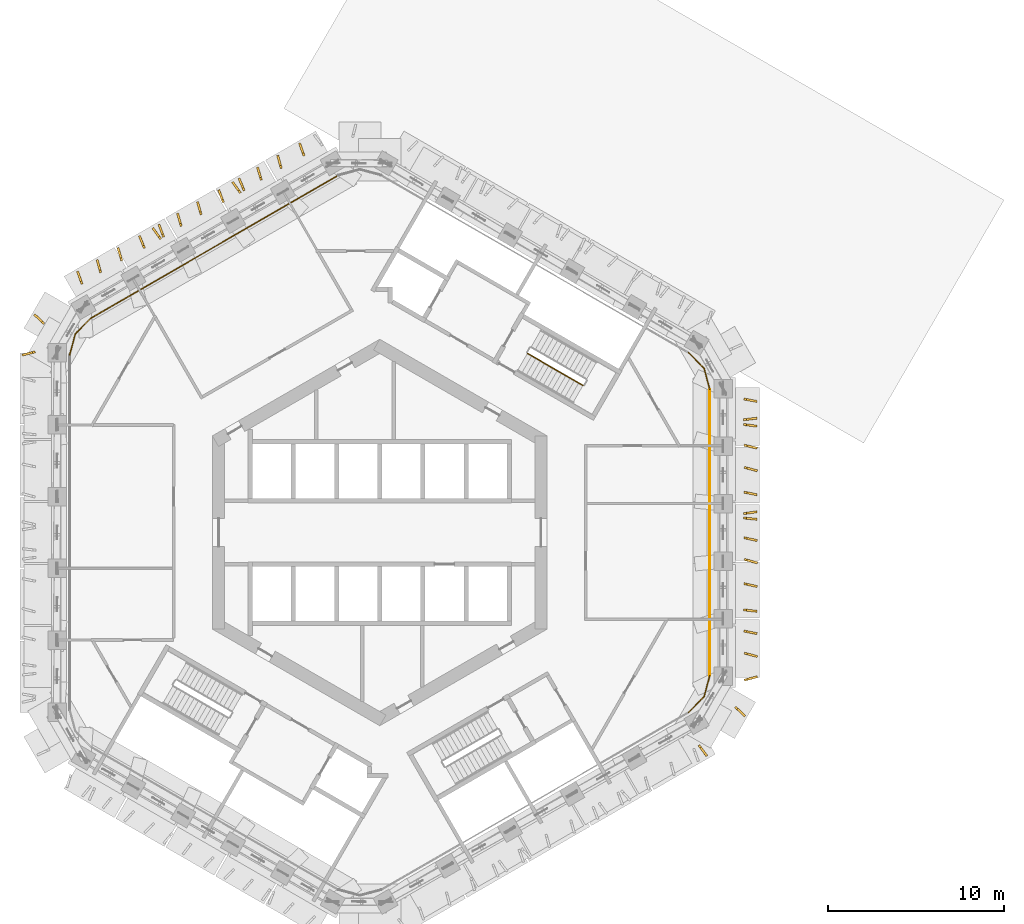
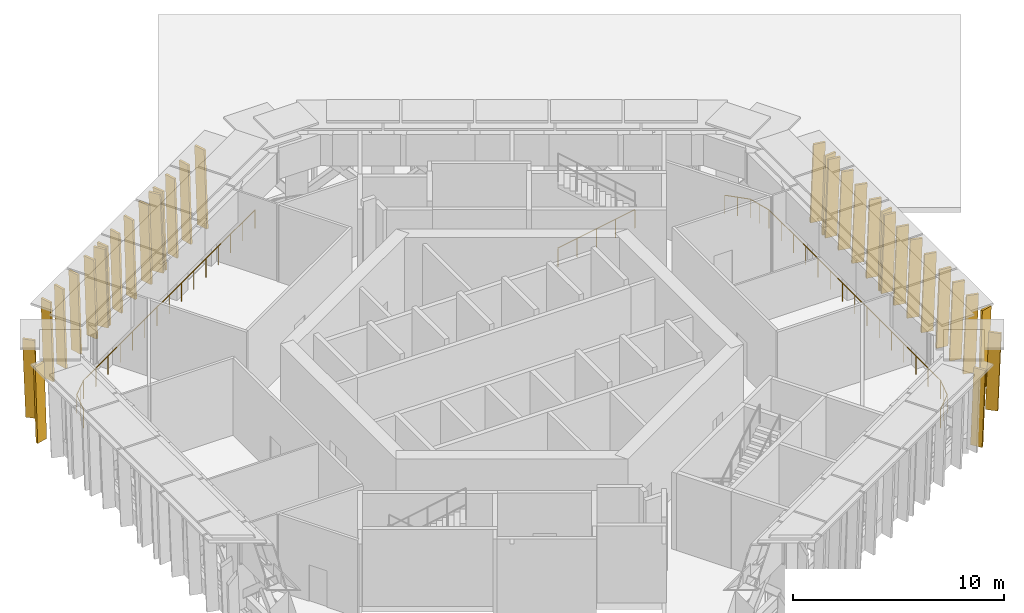
# One storey, part 17 of 18: 33 shading devices, 6 railings.
"""IFC4 building model written with IfcOpenShell, lengths in metres."""

from ifc_helpers import new_model, si_unit, direction, frame, origin, origin_2d, place, context, subcontext, project, spatial, polyline, circle, outline, extrude, material, layer, layer_set, type_object, element, save


model = new_model("IFC4")

# Units and contexts
model_context = context("Model", 3, precision=1e-05, world=origin(), true_north=direction((0.0, 1.0)))
body_context = subcontext(model_context, "Body", "Model", "MODEL_VIEW")
ifc_project = project(units=[si_unit("LENGTHUNIT", "METRE"), si_unit("AREAUNIT", "SQUARE_METRE"), si_unit("VOLUMEUNIT", "CUBIC_METRE"), si_unit("PLANEANGLEUNIT", "RADIAN"), si_unit("MASSUNIT", "GRAM", prefix="KILO")], contexts=[model_context])

# Site, building, storey
site_placement = place(None, origin())
site = spatial("IfcSite", under=ifc_project, at=site_placement, CompositionType="ELEMENT")
building_placement = place(site_placement, origin())
building = spatial("IfcBuilding", under=site, at=building_placement, Name="Ayvan Gate Tower", CompositionType="ELEMENT")
storey_placement = place(building_placement, frame((0.0, 0.0, 147.89990234375)))
storey = spatial("IfcBuildingStorey", under=building, at=storey_placement, Name="L39", CompositionType="ELEMENT", Elevation=147.89990234375)

# Shading devices
ifc_material_1 = material(Name="Bronze anodised aluminium", Category="aluminium")
ifc_layer = layer(ifc_material_1, 0.1201171875)
ifc_layer_set = layer_set([ifc_layer], Name="Bronze anodised aluminium")
shading_device_type = type_object("IfcShadingDeviceType", Name="Bronze fin 600 x 120", PredefinedType="USERDEFINED", material=ifc_layer_set)
shading_device_1_placement = place(storey_placement, frame((-4.2412109375, 21.401611328125, 0.0), z_axis=(0.943110425373, 0.332479489765, 0.000338287382), x_axis=(-0.332479508782, 0.94311047934, -2.2881e-08)))
element("IfcShadingDevice", 1, at=shading_device_1_placement, inside=storey, type_object=shading_device_type, Name="Bronze fin FG14.1.2", ObjectType="FIN", PredefinedType="USERDEFINED", context=body_context, shape_type="SweptSolid", body=[
    extrude(outline(polyline([(0.0, 0.0), (0.6000404906699159, 1.3552527156068805e-20), (0.7652310691955496, 4.500000274995778), (0.16542083010750372, 4.500000247541666), (0.0, 0.0)])), origin(), (0.0, 0.0, -1.0), 0.1201171875),
])
shading_device_2_placement = place(storey_placement, frame((-5.5322265625, 20.682373046875, 0.0), z_axis=(0.96484352558, 0.262824759656, 0.000341844498), x_axis=(-0.262824775019, 0.964843581953, 1.828e-08)))
element("IfcShadingDevice", 2, at=shading_device_2_placement, inside=storey, type_object=shading_device_type, Name="Bronze fin FG14.1.4", ObjectType="FIN", PredefinedType="USERDEFINED", context=body_context, shape_type="SweptSolid", body=[
    extrude(outline(polyline([(0.0, 0.0), (0.5999582366877992, 0.0), (0.7653484005012523, 4.500000248938944), (0.16515460629832773, 4.500000270878114), (0.0, 0.0)])), origin(), (0.0, 0.0, -1.0), 0.1201171875),
])
shading_device_3_placement = place(storey_placement, frame((-6.66455078125, 20.020263671875, 0.0), z_axis=(0.959313608169, 0.282342512328, 0.000326976607), x_axis=(-0.282342527421, 0.959313659451, 0.0)))
element("IfcShadingDevice", 3, at=shading_device_3_placement, inside=storey, type_object=shading_device_type, Name="Bronze fin FG14.1.6", ObjectType="FIN", PredefinedType="USERDEFINED", context=body_context, shape_type="SweptSolid", body=[
    extrude(outline(polyline([(0.0, 0.0), (0.6000994440956892, 6.776263578034403e-21), (0.7654453252544468, 4.500000240555849), (0.16534588115875765, 4.500000240555849), (0.0, 0.0)])), origin(), (0.0, 0.0, -1.0), 0.1201171875),
])
shading_device_4_placement = place(storey_placement, frame((-7.643798828125, 19.42626953125, 0.0), z_axis=(0.927123557503, 0.374755671038, 0.000310076452), x_axis=(-0.374755689061, 0.927123602071, 2.3646e-08)))
element("IfcShadingDevice", 4, at=shading_device_4_placement, inside=storey, type_object=shading_device_type, Name="Bronze fin FG14.1.8", ObjectType="FIN", PredefinedType="USERDEFINED", context=body_context, shape_type="SweptSolid", body=[
    extrude(outline(polyline([(0.0, 0.0), (0.5998870984233567, -1.3552527156068805e-20), (0.7652780979853516, 4.50000019823592), (0.16516465102633301, 4.5000002266111245), (0.0, 0.0)])), origin(), (0.0, 0.0, -1.0), 0.1201171875),
])
shading_device_5_placement = place(storey_placement, frame((-7.858154296875, 19.3115234375, 0.0), z_axis=(0.808031698616, 0.589138922253, 0.000322983536), x_axis=(-0.589138952982, 0.808031740762, 0.0)))
element("IfcShadingDevice", 5, at=shading_device_5_placement, inside=storey, type_object=shading_device_type, Name="Bronze fin FG14.1.9", ObjectType="FIN", PredefinedType="USERDEFINED", context=body_context, shape_type="SweptSolid", body=[
    extrude(outline(polyline([(0.0, 0.0), (0.6000547463554116, 0.0), (0.7654798938113188, 4.50000023471634), (0.16542514745590722, 4.50000023471634), (0.0, 0.0)])), origin(), (0.0, 0.0, -1.0), 0.1201171875),
])
shading_device_6_placement = place(storey_placement, frame((-8.8173828125, 18.7548828125, 0.0), z_axis=(0.936988053522, 0.349361235157, 0.000339009426), x_axis=(-0.349361255219, 0.936988107369, -4.0544e-08)))
element("IfcShadingDevice", 6, at=shading_device_6_placement, inside=storey, type_object=shading_device_type, Name="Bronze fin FG14.1.10", ObjectType="FIN", PredefinedType="USERDEFINED", context=body_context, shape_type="SweptSolid", body=[
    extrude(outline(polyline([(0.0, 0.0), (0.599779926792578, 0.0), (0.7653091039575236, 4.500000289615701), (0.16521512702759486, 4.50000024096746), (0.0, 0.0)])), origin(), (0.0, 0.0, -1.0), 0.1201171875),
])
shading_device_7_placement = place(storey_placement, frame((-10.080322265625, 18.053466796875, 0.0), z_axis=(0.962856115232, 0.270014806617, 0.000324910667), x_axis=(-0.27001482085, 0.962856166061, -6.366e-08)))
element("IfcShadingDevice", 7, at=shading_device_7_placement, inside=storey, type_object=shading_device_type, Name="Bronze fin FG14.1.12", ObjectType="FIN", PredefinedType="USERDEFINED", context=body_context, shape_type="SweptSolid", body=[
    extrude(outline(polyline([(0.0, 0.0), (0.5998870886531852, 0.0), (0.7651429811583198, 4.50000028623457), (0.1651899709180131, 4.500000209852874), (0.0, 0.0)])), origin(), (0.0, 0.0, -1.0), 0.1201171875),
])
shading_device_8_placement = place(storey_placement, frame((-11.2119140625, 17.39990234375, 0.0), z_axis=(0.962870947668, 0.269961915816, 0.000319604351), x_axis=(-0.269961929617, 0.962870996841, 4.5041e-08)))
element("IfcShadingDevice", 8, at=shading_device_8_placement, inside=storey, type_object=shading_device_type, Name="Bronze fin FG14.1.14", ObjectType="FIN", PredefinedType="USERDEFINED", context=body_context, shape_type="SweptSolid", body=[
    extrude(outline(polyline([(0.0, 0.0), (0.6001880788057107, 1.3552527156068805e-20), (0.7653784647718116, 4.500000195356943), (0.16549137056728697, 4.500000249409976), (0.0, 0.0)])), origin(), (0.0, 0.0, -1.0), 0.1201171875),
])
shading_device_9_placement = place(storey_placement, frame((-12.21240234375, 16.794677734375, 0.0), z_axis=(0.937012876926, 0.349294639532, 0.000351096488), x_axis=(-0.349294661038, 0.937012934687, -6.6931e-08)))
element("IfcShadingDevice", 9, at=shading_device_9_placement, inside=storey, type_object=shading_device_type, Name="Bronze fin FG14.1.16", ObjectType="FIN", PredefinedType="USERDEFINED", context=body_context, shape_type="SweptSolid", body=[
    extrude(outline(polyline([(0.0, 0.0), (0.6000086932993831, 0.0), (0.7653088748643048, 4.500000328577276), (0.16521490454806664, 4.500000248253709), (0.0, 0.0)])), origin(), (0.0, 0.0, -1.0), 0.1201171875),
])
shading_device_10_placement = place(storey_placement, frame((-12.384765625, 16.697998046875, 0.0), z_axis=(0.808031698616, 0.589138922253, 0.000322983536), x_axis=(-0.589138952982, 0.808031740762, 0.0)))
element("IfcShadingDevice", 10, at=shading_device_10_placement, inside=storey, type_object=shading_device_type, Name="Bronze fin FG14.1.17", ObjectType="FIN", PredefinedType="USERDEFINED", context=body_context, shape_type="SweptSolid", body=[
    extrude(outline(polyline([(0.0, 0.0), (0.6000547463554116, 0.0), (0.7654798938113188, 4.50000023471634), (0.16542514745590722, 4.50000023471634), (0.0, 0.0)])), origin(), (0.0, 0.0, -1.0), 0.1201171875),
])
shading_device_11_placement = place(storey_placement, frame((-13.302001953125, 16.159423828125, 0.0), z_axis=(0.927123557503, 0.374755671038, 0.000310076452), x_axis=(-0.374755689047, 0.927123602076, -2.3637e-08)))
element("IfcShadingDevice", 11, at=shading_device_11_placement, inside=storey, type_object=shading_device_type, Name="Bronze fin FG14.1.18", ObjectType="FIN", PredefinedType="USERDEFINED", context=body_context, shape_type="SweptSolid", body=[
    extrude(outline(polyline([(0.0, 0.0), (0.6001134469590194, 0.0), (0.7652778852115396, 4.50000023442061), (0.1653907867881834, 4.500000206056108), (0.0, 0.0)])), origin(), (0.0, 0.0, -1.0), 0.1201171875),
])
shading_device_12_placement = place(storey_placement, frame((-14.585693359375, 15.447021484375, 0.0), z_axis=(0.9592811414, 0.282452741676, 0.000374798687), x_axis=(-0.282452761515, 0.959281208777, 0.0)))
element("IfcShadingDevice", 12, at=shading_device_12_placement, inside=storey, type_object=shading_device_type, Name="Bronze fin FG14.1.20", ObjectType="FIN", PredefinedType="USERDEFINED", context=body_context, shape_type="SweptSolid", body=[
    extrude(outline(polyline([(0.0, 0.0), (0.5998652406197904, -6.776263578034403e-21), (0.7652802479604714, 4.500000316066658), (0.16541500734068096, 4.500000316066658), (0.0, 0.0)])), origin(), (0.0, 0.0, -1.0), 0.1201171875),
])
shading_device_13_placement = place(storey_placement, frame((-15.782958984375, 14.76416015625, 0.0), z_axis=(0.964829467782, 0.26287635436, 0.000347011468), x_axis=(-0.262876370187, 0.964829525873, 0.0)))
element("IfcShadingDevice", 13, at=shading_device_13_placement, inside=storey, type_object=shading_device_type, Name="Bronze fin FG14.1.22", ObjectType="FIN", PredefinedType="USERDEFINED", context=body_context, shape_type="SweptSolid", body=[
    extrude(outline(polyline([(0.0, 0.0), (0.5999582375456302, -6.776263578034403e-21), (0.7651128453234786, 4.500000270938183), (0.16515460777784846, 4.500000270938183), (0.0, 0.0)])), origin(), (0.0, 0.0, -1.0), 0.1201171875),
])
shading_device_14_placement = place(storey_placement, frame((-16.843505859375, 14.125732421875, 0.0), z_axis=(0.943110425373, 0.332479489765, 0.000338287382), x_axis=(-0.332479508782, 0.94311047934, -2.2881e-08)))
element("IfcShadingDevice", 14, at=shading_device_14_placement, inside=storey, type_object=shading_device_type, Name="Bronze fin FG14.1.24", ObjectType="FIN", PredefinedType="USERDEFINED", context=body_context, shape_type="SweptSolid", body=[
    extrude(outline(polyline([(0.0, 0.0), (0.6000404906699159, 1.3552527156068805e-20), (0.7652310691955496, 4.500000274995778), (0.16542083010750372, 4.500000247541666), (0.0, 0.0)])), origin(), (0.0, 0.0, -1.0), 0.1201171875),
])
shading_device_15_placement = place(storey_placement, frame((-19.010986328125, 11.893798828125, 0.0), z_axis=(0.690020782124, 0.723789487853, 0.000312268527), x_axis=(-0.723789523142, 0.690020815766, 0.0)))
element("IfcShadingDevice", 15, at=shading_device_15_placement, inside=storey, type_object=shading_device_type, Name="Bronze fin FG14.2.26", ObjectType="FIN", PredefinedType="USERDEFINED", context=body_context, shape_type="SweptSolid", body=[
    extrude(outline(polyline([(0.0, 0.0), (0.6000724768574559, -1.3552527156068805e-20), (0.7653634099950619, 4.5000002194011905), (0.165290933137606, 4.5000002194011905), (0.0, 0.0)])), origin(), (0.0, 0.0, -1.0), 0.1201171875),
])
shading_device_16_placement = place(storey_placement, frame((-19.574951171875, 10.3173828125, 0.0), z_axis=(-0.25104686745, 0.967974874656, 0.000335228224), x_axis=(-0.967974929046, -0.251046881556, 0.0)))
element("IfcShadingDevice", 16, at=shading_device_16_placement, inside=storey, type_object=shading_device_type, Name="Bronze fin FG14.3.27", ObjectType="FIN", PredefinedType="USERDEFINED", context=body_context, shape_type="SweptSolid", body=[
    extrude(outline(polyline([(0.0, 0.0), (0.6000264360643915, 1.3552527156068805e-20), (0.7653681974779012, 4.5000002528504375), (0.16534176141350967, 4.5000002528504375), (0.0, 0.0)])), origin(), (0.0, 0.0, -1.0), 0.1201171875),
])
shading_device_17_placement = place(storey_placement, frame((18.06787109375, -12.11279296875, 0.0), z_axis=(-0.803985802269, -0.594648405878, 0.00032114946), x_axis=(0.594648436557, -0.803985843719, 5.2521e-08)))
element("IfcShadingDevice", 17, at=shading_device_17_placement, inside=storey, type_object=shading_device_type, Name="Bronze fin FG14.7.103", ObjectType="FIN", PredefinedType="USERDEFINED", context=body_context, shape_type="SweptSolid", body=[
    extrude(outline(polyline([(0.0, 0.0), (0.600110361678414, 0.0), (0.7653884923427345, 4.500000191859107), (0.16542330850527687, 4.500000254888499), (0.0, 0.0)])), origin(), (0.0, 0.0, -1.0), 0.1201171875),
])
shading_device_18_placement = place(storey_placement, frame((20.1357421875, -9.94189453125, 0.0), z_axis=(-0.686049755687, -0.727554545177, 0.000341343196), x_axis=(0.727554587562, -0.686049795654, 0.0)))
element("IfcShadingDevice", 18, at=shading_device_18_placement, inside=storey, type_object=shading_device_type, Name="Bronze fin FG14.8.104", ObjectType="FIN", PredefinedType="USERDEFINED", context=body_context, shape_type="SweptSolid", body=[
    extrude(outline(polyline([(0.0, 0.0), (0.5999871967857003, 0.0), (0.7653137436654256, 4.500000262159173), (0.16532654687972514, 4.500000262159173), (0.0, 0.0)])), origin(), (0.0, 0.0, -1.0), 0.1201171875),
])
shading_device_19_placement = place(storey_placement, frame((20.70751953125, -8.4375, 0.0), z_axis=(0.253912389933, -0.967227164856, 0.000331365686), x_axis=(0.967227217958, 0.253912403873, 0.0)))
element("IfcShadingDevice", 19, at=shading_device_19_placement, inside=storey, type_object=shading_device_type, Name="Bronze fin FG14.9.105", ObjectType="FIN", PredefinedType="USERDEFINED", context=body_context, shape_type="SweptSolid", body=[
    extrude(outline(polyline([(0.0, 0.0), (0.5999854582772782, 1.3552527156068805e-20), (0.7654549427582718, 4.500000247057261), (0.16546948448099355, 4.500000247057261), (0.0, 0.0)])), origin(), (0.0, 0.0, -1.0), 0.1201171875),
])
shading_device_20_placement = place(storey_placement, frame((20.678466796875, -6.903564453125, 0.0), z_axis=(-0.257346073889, -0.966319249779, 0.000325207839), x_axis=(0.966319300884, -0.257346087477, 6.3934e-08)))
element("IfcShadingDevice", 20, at=shading_device_20_placement, inside=storey, type_object=shading_device_type, Name="Bronze fin FG14.9.106", ObjectType="FIN", PredefinedType="USERDEFINED", context=body_context, shape_type="SweptSolid", body=[
    extrude(outline(polyline([(0.0, 0.0), (0.600012467501012, -6.776263578034403e-21), (0.7653928699896678, 4.500000189025761), (0.1653175738540179, 4.500000265752096), (0.0, 0.0)])), origin(), (0.0, 0.0, -1.0), 0.1201171875),
])
shading_device_21_placement = place(storey_placement, frame((20.657958984375, -5.6513671875, 0.0), z_axis=(-0.194511627053, -0.980900161112, 0.000317603489), x_axis=(0.980900210584, -0.194511636867, -1.2572e-08)))
element("IfcShadingDevice", 21, at=shading_device_21_placement, inside=storey, type_object=shading_device_type, Name="Bronze fin FG14.9.108", ObjectType="FIN", PredefinedType="USERDEFINED", context=body_context, shape_type="SweptSolid", body=[
    extrude(outline(polyline([(0.0, 0.0), (0.5998403491038466, 6.776263578034403e-21), (0.765315880052697, 4.500000236583535), (0.1652360533583758, 4.500000221498108), (0.0, 0.0)])), origin(), (0.0, 0.0, -1.0), 0.1201171875),
])
shading_device_22_placement = place(storey_placement, frame((20.64111328125, -4.450927734375, 0.0), z_axis=(-0.108845955088, -0.99405857301, 0.000333896164), x_axis=(0.994058628424, -0.108845961133, 6.7529e-08)))
element("IfcShadingDevice", 22, at=shading_device_22_placement, inside=storey, type_object=shading_device_type, Name="Bronze fin FG14.9.110", ObjectType="FIN", PredefinedType="USERDEFINED", context=body_context, shape_type="SweptSolid", body=[
    extrude(outline(polyline([(0.0, 0.0), (0.599987085171718, -3.3881317890172014e-21), (0.7651248359004186, 4.500000199176726), (0.16511117700772093, 4.500000280211812), (0.0, 0.0)])), origin(), (0.0, 0.0, -1.0), 0.1201171875),
])
shading_device_23_placement = place(storey_placement, frame((20.66455078125, -2.961669921875, 0.0), z_axis=(-0.217081237696, -0.976153494346, 0.000302846132), x_axis=(0.976153539107, -0.217081247669, -6.0142e-08)))
element("IfcShadingDevice", 23, at=shading_device_23_placement, inside=storey, type_object=shading_device_type, Name="Bronze fin FG14.9.112", ObjectType="FIN", PredefinedType="USERDEFINED", context=body_context, shape_type="SweptSolid", body=[
    extrude(outline(polyline([(0.0, 0.0), (0.6000277652764, -6.776263578034403e-21), (0.7652672648540553, 4.5000002523853375), (0.165292497929137, 4.5000001802146175), (0.0, 0.0)])), origin(), (0.0, 0.0, -1.0), 0.1201171875),
])
shading_device_24_placement = place(storey_placement, frame((20.678955078125, -1.5849609375, 0.0), z_axis=(-0.258776744898, -0.965937094948, 0.000353416645), x_axis=(0.965937155273, -0.258776761059, 0.0)))
element("IfcShadingDevice", 24, at=shading_device_24_placement, inside=storey, type_object=shading_device_type, Name="Bronze fin FG14.9.114", ObjectType="FIN", PredefinedType="USERDEFINED", context=body_context, shape_type="SweptSolid", body=[
    extrude(outline(polyline([(0.0, 0.0), (0.6000285221314199, 6.776263578034403e-21), (0.7654064631660131, 4.5000002810325075), (0.16537794103459316, 4.5000002810325075), (0.0, 0.0)])), origin(), (0.0, 0.0, -1.0), 0.1201171875),
])
shading_device_25_placement = place(storey_placement, frame((20.663330078125, -0.354736328125, 0.0), z_axis=(-0.213223563315, -0.977003388393, 0.000301852837), x_axis=(0.977003432903, -0.213223573028, 0.0)))
element("IfcShadingDevice", 25, at=shading_device_25_placement, inside=storey, type_object=shading_device_type, Name="Bronze fin FG14.9.116", ObjectType="FIN", PredefinedType="USERDEFINED", context=body_context, shape_type="SweptSolid", body=[
    extrude(outline(polyline([(0.0, 0.0), (0.599979100260721, -6.776263578034403e-21), (0.7653578484701675, 4.500000205009068), (0.16537874820944645, 4.500000205009068), (0.0, 0.0)])), origin(), (0.0, 0.0, -1.0), 0.1201171875),
])
shading_device_26_placement = place(storey_placement, frame((20.640380859375, 0.7666015625, 0.0), z_axis=(-0.103169903761, -0.994663687545, 0.000345886012), x_axis=(0.994663747042, -0.103169909957, -7.0008e-08)))
element("IfcShadingDevice", 26, at=shading_device_26_placement, inside=storey, type_object=shading_device_type, Name="Bronze fin FG14.9.118", ObjectType="FIN", PredefinedType="USERDEFINED", context=body_context, shape_type="SweptSolid", body=[
    extrude(outline(polyline([(0.0, 0.0), (0.5998933971922642, 0.0), (0.765152620691609, 4.500000322750092), (0.16528441146564296, 4.500000238757647), (0.0, 0.0)])), origin(), (0.0, 0.0, -1.0), 0.1201171875),
])
shading_device_27_placement = place(storey_placement, frame((20.6630859375, 1.01025390625, 0.0), z_axis=(0.141820141489, -0.989892379261, 0.000353482213), x_axis=(0.9898924411, 0.141820150378, 8.1411e-08)))
element("IfcShadingDevice", 27, at=shading_device_27_placement, inside=storey, type_object=shading_device_type, Name="Bronze fin FG14.9.119", ObjectType="FIN", PredefinedType="USERDEFINED", context=body_context, shape_type="SweptSolid", body=[
    extrude(outline(polyline([(0.0, 0.0), (0.599832433895733, 1.0164395367051604e-20), (0.7652853370806689, 4.500000218834058), (0.16524585428583383, 4.500000316516997), (0.0, 0.0)])), origin(), (0.0, 0.0, -1.0), 0.1201171875),
])
shading_device_28_placement = place(storey_placement, frame((20.658447265625, 2.23046875, 0.0), z_axis=(-0.196507308053, -0.98050230312, 0.000333852396), x_axis=(0.980502357763, -0.196507319004, 0.0)))
element("IfcShadingDevice", 28, at=shading_device_28_placement, inside=storey, type_object=shading_device_type, Name="Bronze fin FG14.9.120", ObjectType="FIN", PredefinedType="USERDEFINED", context=body_context, shape_type="SweptSolid", body=[
    extrude(outline(polyline([(0.0, 0.0), (0.600079032540675, 0.0), (0.765359915701218, 4.500000250779221), (0.1652808831605431, 4.500000250779221), (0.0, 0.0)])), origin(), (0.0, 0.0, -1.0), 0.1201171875),
])
shading_device_29_placement = place(storey_placement, frame((20.67822265625, 3.638671875, 0.0), z_axis=(-0.257156094641, -0.966369817677, 0.000344198606), x_axis=(0.966369874921, -0.257156109874, 0.0)))
element("IfcShadingDevice", 29, at=shading_device_29_placement, inside=storey, type_object=shading_device_type, Name="Bronze fin FG14.9.122", ObjectType="FIN", PredefinedType="USERDEFINED", context=body_context, shape_type="SweptSolid", body=[
    extrude(outline(polyline([(0.0, 0.0), (0.6000124790960213, -1.3552527156068805e-20), (0.7653300729453593, 4.500000266563555), (0.16531759384933803, 4.500000266563555), (0.0, 0.0)])), origin(), (0.0, 0.0, -1.0), 0.1201171875),
])
shading_device_30_placement = place(storey_placement, frame((20.6689453125, 4.901611328125, 0.0), z_axis=(-0.231125381579, -0.9729239214, 0.000318053662), x_axis=(0.972923970609, -0.231125393269, 0.0)))
element("IfcShadingDevice", 30, at=shading_device_30_placement, inside=storey, type_object=shading_device_type, Name="Bronze fin FG14.9.124", ObjectType="FIN", PredefinedType="USERDEFINED", context=body_context, shape_type="SweptSolid", body=[
    extrude(outline(polyline([(0.0, 0.0), (0.5999854582772782, 0.0), (0.7655134560693668, 4.500000227605813), (0.16552799779208863, 4.500000227605813), (0.0, 0.0)])), origin(), (0.0, 0.0, -1.0), 0.1201171875),
])
shading_device_31_placement = place(storey_placement, frame((20.643798828125, 6.0732421875, 0.0), z_axis=(-0.128190842272, -0.991749468622, 0.000315350426), x_axis=(0.991749517935, -0.128190848646, 0.0)))
element("IfcShadingDevice", 31, at=shading_device_31_placement, inside=storey, type_object=shading_device_type, Name="Bronze fin FG14.9.126", ObjectType="FIN", PredefinedType="USERDEFINED", context=body_context, shape_type="SweptSolid", body=[
    extrude(outline(polyline([(0.0, 0.0), (0.599920335090331, 3.3881317890172014e-21), (0.7651642644829941, 4.500000223753273), (0.16524392939266305, 4.500000223753273), (0.0, 0.0)])), origin(), (0.0, 0.0, -1.0), 0.1201171875),
])
shading_device_32_placement = place(storey_placement, frame((20.65673828125, 6.33740234375, 0.0), z_axis=(0.119626540628, -0.992818908613, 0.000324772664), x_axis=(0.992818960973, 0.119626546937, 0.0)))
element("IfcShadingDevice", 32, at=shading_device_32_placement, inside=storey, type_object=shading_device_type, Name="Bronze fin FG14.9.127", ObjectType="FIN", PredefinedType="USERDEFINED", context=body_context, shape_type="SweptSolid", body=[
    extrude(outline(polyline([(0.0, 0.0), (0.6000118333921185, 3.3881317890172014e-21), (0.7654370900712, 4.500000237323906), (0.16542525667908145, 4.500000237323906), (0.0, 0.0)])), origin(), (0.0, 0.0, -1.0), 0.1201171875),
])
shading_device_33_placement = place(storey_placement, frame((20.654052734375, 7.517822265625, 0.0), z_axis=(-0.179816162277, -0.983700181866, 0.00031619787), x_axis=(0.983700231042, -0.179816171266, 0.0)))
element("IfcShadingDevice", 33, at=shading_device_33_placement, inside=storey, type_object=shading_device_type, Name="Bronze fin FG14.9.128", ObjectType="FIN", PredefinedType="USERDEFINED", context=body_context, shape_type="SweptSolid", body=[
    extrude(outline(polyline([(0.0, 0.0), (0.6001137466694547, 6.776263578034403e-21), (0.7653937100414236, 4.500000224957477), (0.1652799633719689, 4.500000224957477), (0.0, 0.0)])), origin(), (0.0, 0.0, -1.0), 0.1201171875),
])

# Railings
ifc_material_2 = material(Name="Stainless steel balustrade", Category="steel")
railing_type_1 = type_object("IfcRailingType", Name="RL-GUARD-1100", PredefinedType="GUARDRAIL", material=ifc_material_2)
railing_1_placement = place(storey_placement, frame((8.381103515625, 10.16650390625, 0.171630859375)))
element("IfcRailing", 34, at=railing_1_placement, inside=storey, type_object=railing_type_1, Name="L39 STS1 stair guard 1", PredefinedType="GUARDRAIL", context=body_context, shape_type="SweptSolid", body=[
    extrude(circle(Radius=0.02392578125, at=origin_2d()), frame((0.0, 0.0, 1.076171875), z_axis=(0.738592093898, -0.426440834883, 0.522139764025), x_axis=(0.500012742938, 0.866018046521, 0.0)), (0.0, 0.0, 1.0), 4.26806640625),
    extrude(circle(Radius=0.02099609375, at=origin_2d()), origin(), (0.0, 0.0, 1.0), 1.052001953125),
    extrude(circle(Radius=0.02099609375, at=origin_2d()), frame((0.7880859375, -0.455078125, 0.55712890625)), (0.0, 0.0, 1.0), 1.052001953125),
    extrude(circle(Radius=0.02099609375, at=origin_2d()), frame((1.576171875, -0.91015625, 1.1142578125)), (0.0, 0.0, 1.0), 1.052001953125),
    extrude(circle(Radius=0.02099609375, at=origin_2d()), frame((2.3642578125, -1.364990234375, 1.67138671875)), (0.0, 0.0, 1.0), 1.052001953125),
    extrude(circle(Radius=0.02099609375, at=origin_2d()), frame((3.15234375, -1.820068359375, 2.228515625)), (0.0, 0.0, 1.0), 1.052001953125),
])
ifc_material_3 = material(Name="Stainless steel 316 and laminated glass", Category="steel")
railing_type_2 = type_object("IfcRailingType", Name="Refuge band guard 1100", PredefinedType="GUARDRAIL", material=ifc_material_3)
railing_2_placement = place(storey_placement, frame((-2.341552734375, 20.281982421875, 0.0)))
element("IfcRailing", 35, at=railing_2_placement, inside=storey, type_object=railing_type_2, Name="Refuge band guard L39.1", PredefinedType="GUARDRAIL", context=body_context, shape_type="SweptSolid", body=[
    extrude(circle(Radius=0.02490234375, at=origin_2d()), frame((0.0, 0.0, 1.0751953125), z_axis=(-0.86602999131, -0.499992054088, 0.0), x_axis=(0.499992054088, -0.86602999131, 0.0)), (0.0, 0.0, 1.0), 16.226318359375),
    extrude(circle(Radius=0.02001953125, at=origin_2d()), origin(), (0.0, 0.0, 1.0), 1.050048828125),
    extrude(circle(Radius=0.02001953125, at=origin_2d()), frame((-1.003662109375, -0.57958984375, 0.0)), (0.0, 0.0, 1.0), 1.050048828125),
    extrude(circle(Radius=0.02001953125, at=origin_2d()), frame((-2.007568359375, -1.158935546875, 0.0)), (0.0, 0.0, 1.0), 1.050048828125),
    extrude(circle(Radius=0.02001953125, at=origin_2d()), frame((-3.01123046875, -1.738525390625, 0.0)), (0.0, 0.0, 1.0), 1.050048828125),
    extrude(circle(Radius=0.02001953125, at=origin_2d()), frame((-4.014892578125, -2.318115234375, 0.0)), (0.0, 0.0, 1.0), 1.050048828125),
    extrude(circle(Radius=0.02001953125, at=origin_2d()), frame((-5.018798828125, -2.8974609375, 0.0)), (0.0, 0.0, 1.0), 1.050048828125),
    extrude(circle(Radius=0.02001953125, at=origin_2d()), frame((-6.0224609375, -3.47705078125, 0.0)), (0.0, 0.0, 1.0), 1.050048828125),
    extrude(circle(Radius=0.02001953125, at=origin_2d()), frame((-7.0263671875, -4.056640625, 0.0)), (0.0, 0.0, 1.0), 1.050048828125),
    extrude(circle(Radius=0.02001953125, at=origin_2d()), frame((-8.030029296875, -4.635986328125, 0.0)), (0.0, 0.0, 1.0), 1.050048828125),
    extrude(circle(Radius=0.02001953125, at=origin_2d()), frame((-9.03369140625, -5.215576171875, 0.0)), (0.0, 0.0, 1.0), 1.050048828125),
    extrude(circle(Radius=0.02001953125, at=origin_2d()), frame((-10.03759765625, -5.794921875, 0.0)), (0.0, 0.0, 1.0), 1.050048828125),
    extrude(circle(Radius=0.02001953125, at=origin_2d()), frame((-11.041259765625, -6.37451171875, 0.0)), (0.0, 0.0, 1.0), 1.050048828125),
    extrude(circle(Radius=0.02001953125, at=origin_2d()), frame((-12.044921875, -6.9541015625, 0.0)), (0.0, 0.0, 1.0), 1.050048828125),
    extrude(circle(Radius=0.02001953125, at=origin_2d()), frame((-13.048828125, -7.533447265625, 0.0)), (0.0, 0.0, 1.0), 1.050048828125),
    extrude(circle(Radius=0.02001953125, at=origin_2d()), frame((-14.052490234375, -8.113037109375, 0.0)), (0.0, 0.0, 1.0), 1.050048828125),
])
railing_3_placement = place(storey_placement, frame((-16.39404296875, 12.1689453125, 0.0)))
element("IfcRailing", 36, at=railing_3_placement, inside=storey, type_object=railing_type_2, Name="Refuge band guard L39.2", PredefinedType="GUARDRAIL", context=body_context, shape_type="SweptSolid", body=[
    extrude(circle(Radius=0.02490234375, at=origin_2d()), frame((0.0, 0.0, 1.0751953125), z_axis=(-0.707009363432, -0.707204185522, 0.0), x_axis=(0.707204185522, -0.707009363432, 0.0)), (0.0, 0.0, 1.0), 1.253173828125),
    extrude(circle(Radius=0.02490234375, at=origin_2d()), frame((-0.885986328125, -0.88623046875, 1.0751953125), z_axis=(-0.258911363806, -0.965901084838, 0.0), x_axis=(0.965901084838, -0.258911363806, 0.0)), (0.0, 0.0, 1.0), 1.253173828125),
    extrude(circle(Radius=0.02001953125, at=origin_2d()), origin(), (0.0, 0.0, 1.0), 1.050048828125),
    extrude(circle(Radius=0.02001953125, at=origin_2d()), frame((-0.44287109375, -0.443115234375, 0.0)), (0.0, 0.0, 1.0), 1.050048828125),
    extrude(circle(Radius=0.02001953125, at=origin_2d()), frame((-0.885986328125, -0.88623046875, 0.0)), (0.0, 0.0, 1.0), 1.050048828125),
    extrude(circle(Radius=0.02001953125, at=origin_2d()), frame((-1.04833984375, -1.491455078125, 0.0)), (0.0, 0.0, 1.0), 1.050048828125),
    extrude(circle(Radius=0.02001953125, at=origin_2d()), frame((-1.21044921875, -2.0966796875, 0.0)), (0.0, 0.0, 1.0), 1.050048828125),
])
railing_4_placement = place(storey_placement, frame((17.525146484375, -10.209716796875, 0.0)))
element("IfcRailing", 37, at=railing_4_placement, inside=storey, type_object=railing_type_2, Name="Refuge band guard L39.8", PredefinedType="GUARDRAIL", context=body_context, shape_type="SweptSolid", body=[
    extrude(circle(Radius=0.02490234375, at=origin_2d()), frame((0.0, 0.0, 1.0751953125), z_axis=(0.707106781187, 0.707106781187, 0.0), x_axis=(-0.707106781187, 0.707106781187, 0.0)), (0.0, 0.0, 1.0), 1.2529296875),
    extrude(circle(Radius=0.02490234375, at=origin_2d()), frame((0.885986328125, 0.885986328125, 1.0751953125), z_axis=(0.258862652349, 0.965914140707, 0.0), x_axis=(-0.965914140707, 0.258862652349, 0.0)), (0.0, 0.0, 1.0), 1.25341796875),
    extrude(circle(Radius=0.02001953125, at=origin_2d()), origin(), (0.0, 0.0, 1.0), 1.050048828125),
    extrude(circle(Radius=0.02001953125, at=origin_2d()), frame((0.44287109375, 0.44287109375, 0.0)), (0.0, 0.0, 1.0), 1.050048828125),
    extrude(circle(Radius=0.02001953125, at=origin_2d()), frame((0.885986328125, 0.885986328125, 0.0)), (0.0, 0.0, 1.0), 1.050048828125),
    extrude(circle(Radius=0.02001953125, at=origin_2d()), frame((1.04833984375, 1.4912109375, 0.0)), (0.0, 0.0, 1.0), 1.050048828125),
    extrude(circle(Radius=0.02001953125, at=origin_2d()), frame((1.21044921875, 2.0966796875, 0.0)), (0.0, 0.0, 1.0), 1.050048828125),
])
railing_5_placement = place(storey_placement, frame((18.735595703125, -8.113037109375, 0.0)))
element("IfcRailing", 38, at=railing_5_placement, inside=storey, type_object=railing_type_2, Name="Refuge band guard L39.9", PredefinedType="GUARDRAIL", context=body_context, shape_type="SweptSolid", body=[
    extrude(circle(Radius=0.02490234375, at=origin_2d()), frame((0.0, 0.0, 1.0751953125), z_axis=(0.0, 1.0, 0.0), x_axis=(-1.0, 0.0, 0.0)), (0.0, 0.0, 1.0), 16.22607421875),
    extrude(circle(Radius=0.02001953125, at=origin_2d()), origin(), (0.0, 0.0, 1.0), 1.050048828125),
    extrude(circle(Radius=0.02001953125, at=origin_2d()), frame((0.0, 1.158935546875, 0.0)), (0.0, 0.0, 1.0), 1.050048828125),
    extrude(circle(Radius=0.02001953125, at=origin_2d()), frame((0.0, 2.318115234375, 0.0)), (0.0, 0.0, 1.0), 1.050048828125),
    extrude(circle(Radius=0.02001953125, at=origin_2d()), frame((0.0, 3.47705078125, 0.0)), (0.0, 0.0, 1.0), 1.050048828125),
    extrude(circle(Radius=0.02001953125, at=origin_2d()), frame((0.0, 4.635986328125, 0.0)), (0.0, 0.0, 1.0), 1.050048828125),
    extrude(circle(Radius=0.02001953125, at=origin_2d()), frame((0.0, 5.794921875, 0.0)), (0.0, 0.0, 1.0), 1.050048828125),
    extrude(circle(Radius=0.02001953125, at=origin_2d()), frame((0.0, 6.9541015625, 0.0)), (0.0, 0.0, 1.0), 1.050048828125),
    extrude(circle(Radius=0.02001953125, at=origin_2d()), frame((0.0, 8.113037109375, 0.0)), (0.0, 0.0, 1.0), 1.050048828125),
    extrude(circle(Radius=0.02001953125, at=origin_2d()), frame((0.0, 9.27197265625, 0.0)), (0.0, 0.0, 1.0), 1.050048828125),
    extrude(circle(Radius=0.02001953125, at=origin_2d()), frame((0.0, 10.43115234375, 0.0)), (0.0, 0.0, 1.0), 1.050048828125),
    extrude(circle(Radius=0.02001953125, at=origin_2d()), frame((0.0, 11.590087890625, 0.0)), (0.0, 0.0, 1.0), 1.050048828125),
    extrude(circle(Radius=0.02001953125, at=origin_2d()), frame((0.0, 12.7490234375, 0.0)), (0.0, 0.0, 1.0), 1.050048828125),
    extrude(circle(Radius=0.02001953125, at=origin_2d()), frame((0.0, 13.907958984375, 0.0)), (0.0, 0.0, 1.0), 1.050048828125),
    extrude(circle(Radius=0.02001953125, at=origin_2d()), frame((0.0, 15.067138671875, 0.0)), (0.0, 0.0, 1.0), 1.050048828125),
    extrude(circle(Radius=0.02001953125, at=origin_2d()), frame((0.0, 16.22607421875, 0.0)), (0.0, 0.0, 1.0), 1.050048828125),
])
railing_6_placement = place(storey_placement, frame((18.735595703125, 8.113037109375, 0.0)))
element("IfcRailing", 39, at=railing_6_placement, inside=storey, type_object=railing_type_2, Name="Refuge band guard L39.10", PredefinedType="GUARDRAIL", context=body_context, shape_type="SweptSolid", body=[
    extrude(circle(Radius=0.02490234375, at=origin_2d()), frame((0.0, 0.0, 1.0751953125), z_axis=(-0.258862652349, 0.965914140707, 0.0), x_axis=(-0.965914140707, -0.258862652349, 0.0)), (0.0, 0.0, 1.0), 1.25341796875),
    extrude(circle(Radius=0.02490234375, at=origin_2d()), frame((-0.324462890625, 1.210693359375, 1.0751953125), z_axis=(-0.707106781187, 0.707106781187, 0.0), x_axis=(-0.707106781187, -0.707106781187, 0.0)), (0.0, 0.0, 1.0), 1.2529296875),
    extrude(circle(Radius=0.02001953125, at=origin_2d()), origin(), (0.0, 0.0, 1.0), 1.050048828125),
    extrude(circle(Radius=0.02001953125, at=origin_2d()), frame((-0.162109375, 0.60546875, 0.0)), (0.0, 0.0, 1.0), 1.050048828125),
    extrude(circle(Radius=0.02001953125, at=origin_2d()), frame((-0.324462890625, 1.210693359375, 0.0)), (0.0, 0.0, 1.0), 1.050048828125),
    extrude(circle(Radius=0.02001953125, at=origin_2d()), frame((-0.767578125, 1.65380859375, 0.0)), (0.0, 0.0, 1.0), 1.050048828125),
    extrude(circle(Radius=0.02001953125, at=origin_2d()), frame((-1.21044921875, 2.0966796875, 0.0)), (0.0, 0.0, 1.0), 1.050048828125),
])

save(model, "model.ifc")
